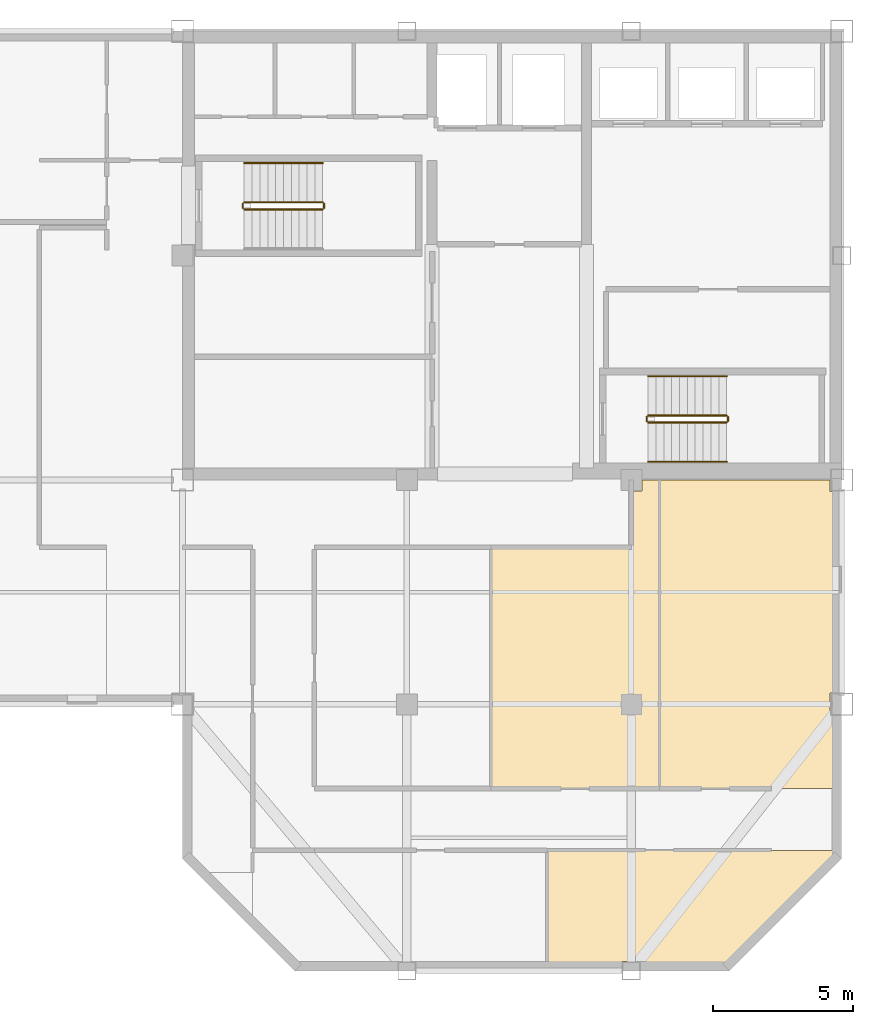
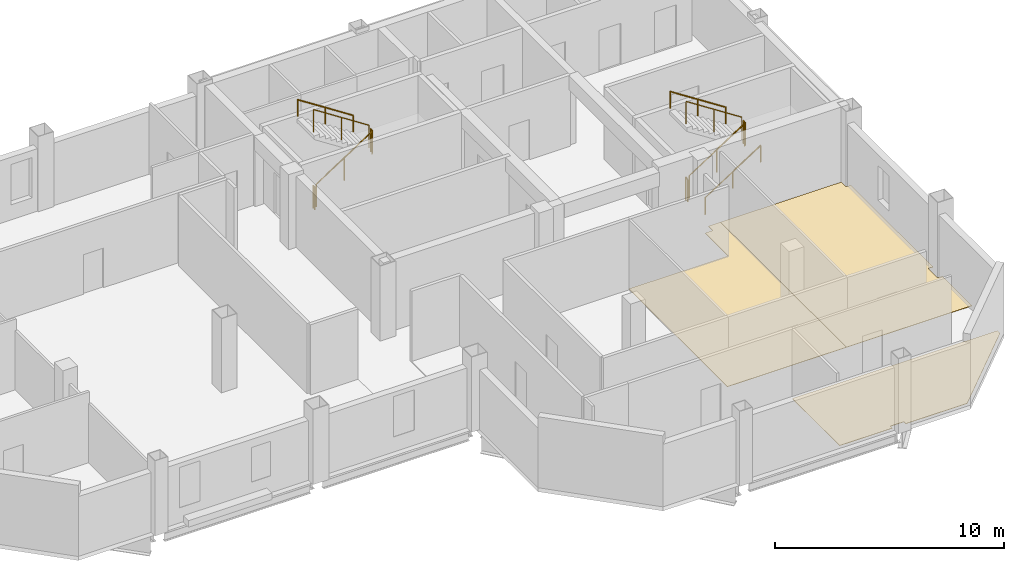
# One storey, part 6 of 7: 11 railings, 3 coverings.
"""IFC4 building model written with IfcOpenShell, lengths in metres."""

from ifc_helpers import new_model, si_unit, direction, frame, origin, origin_2d, place, context, subcontext, project, spatial, polyline, circle, outline, extrude, material, layer, layer_set, type_object, element, save


model = new_model("IFC4")

# Units and contexts
model_context = context("Model", 3, precision=1e-05, world=origin(), true_north=direction((0.0, 1.0)))
body_context = subcontext(model_context, "Body", "Model", "MODEL_VIEW")
ifc_project = project(units=[si_unit("LENGTHUNIT", "METRE"), si_unit("AREAUNIT", "SQUARE_METRE"), si_unit("VOLUMEUNIT", "CUBIC_METRE"), si_unit("PLANEANGLEUNIT", "RADIAN"), si_unit("MASSUNIT", "GRAM", prefix="KILO")], contexts=[model_context])

# Site, building, storey
site_placement = place(None, origin())
site = spatial("IfcSite", under=ifc_project, at=site_placement, CompositionType="ELEMENT")
building_placement = place(site_placement, origin())
building = spatial("IfcBuilding", under=site, at=building_placement, Name="Qianrong Seaharbour Tower", CompositionType="ELEMENT")
storey_placement = place(building_placement, frame((0.0, 0.0, 335.199951171875)))
storey = spatial("IfcBuildingStorey", under=building, at=storey_placement, Name="L81", CompositionType="ELEMENT", Elevation=335.199951171875)

# Coverings
ifc_material_1 = material(Name="Acoustic modular carpet tile flooring")
ifc_layer = layer(ifc_material_1, 0.02001953125)
ifc_layer_set = layer_set([ifc_layer], Name="Acoustic modular carpet tile flooring")
covering_type = type_object("IfcCoveringType", Name="COV-FLOOR-CARPET-20", PredefinedType="FLOORING", material=ifc_layer_set)
covering_1_placement = place(storey_placement, origin())
element("IfcCovering", 1, at=covering_1_placement, inside=storey, type_object=covering_type, Name="L81 Catering Servery Kitchen 2 Finish Flooring", PredefinedType="FLOORING", context=body_context, shape_type="SweptSolid", body=[
    extrude(outline(polyline([(56.5, 33.60009765625), (56.5, 35.614990234375), (56.885009765625, 35.614990234375), (56.885009765625, 36.0), (57.5, 36.0), (57.5, 25.0), (51.5, 25.0), (51.5, 33.60009765625), (56.5, 33.60009765625)])), origin(), (0.0, 0.0, 1.0), 0.02001953125),
])
covering_2_placement = place(storey_placement, origin())
element("IfcCovering", 2, at=covering_2_placement, inside=storey, type_object=covering_type, Name="L81 Staff Lounge 3 Finish Flooring", PredefinedType="FLOORING", context=body_context, shape_type="SweptSolid", body=[
    extrude(outline(polyline([(63.590087890625, 36.0), (63.590087890625, 35.590087890625), (63.8349609375, 35.590087890625), (63.8349609375, 28.409912109375), (63.590087890625, 28.409912109375), (63.590087890625, 27.590087890625), (63.8349609375, 27.590087890625), (63.8349609375, 25.0), (57.5, 25.0), (57.5, 36.0), (63.590087890625, 36.0)])), origin(), (0.0, 0.0, 1.0), 0.02001953125),
])
covering_3_placement = place(storey_placement, origin())
element("IfcCovering", 3, at=covering_3_placement, inside=storey, type_object=covering_type, Name="L81 Tea Servery Pantry 2 Finish Flooring", PredefinedType="FLOORING", context=body_context, shape_type="SweptSolid", body=[
    extrude(outline(polyline([(63.8349609375, 22.568359375), (59.931640625, 18.6650390625), (56.8349609375, 18.6650390625), (56.8349609375, 18.8349609375), (56.1650390625, 18.8349609375), (56.1650390625, 18.6650390625), (53.5, 18.6650390625), (53.5, 22.800048828125), (63.8349609375, 22.800048828125), (63.8349609375, 22.568359375)])), origin(), (0.0, 0.0, 1.0), 0.02001953125),
])

# Railings
ifc_material_2 = material(Name="Galvanized painted steel SN400B stair guard", Category="steel")
railing_type_1 = type_object("IfcRailingType", Name="RAIL-STAIR-GUARD-1220", PredefinedType="GUARDRAIL", material=ifc_material_2)
railing_1_placement = place(storey_placement, frame((42.699951171875, 45.64990234375, 0.181884765625)))
element("IfcRailing", 4, at=railing_1_placement, inside=storey, type_object=railing_type_1, Name="L81 ST-1 stair guard 1", PredefinedType="GUARDRAIL", context=body_context, shape_type="SweptSolid", body=[
    extrude(circle(Radius=0.02392578125, at=origin_2d()), frame((0.0, 0.0, 1.19580078125), z_axis=(0.838705829183, 0.0, 0.544584733623), x_axis=(0.0, 1.0, 0.0)), (0.0, 0.0, 1.0), 3.338623046875),
    extrude(circle(Radius=0.02099609375, at=origin_2d()), origin(), (0.0, 0.0, 1.0), 1.171875),
    extrude(circle(Radius=0.02099609375, at=origin_2d()), frame((1.39990234375, 0.0, 0.9091796875)), (0.0, 0.0, 1.0), 1.171875),
    extrude(circle(Radius=0.02099609375, at=origin_2d()), frame((2.800048828125, 0.0, 1.818115234375)), (0.0, 0.0, 1.0), 1.171875),
])
railing_2_placement = place(storey_placement, frame((45.550048828125, 45.699951171875, 2.0)))
element("IfcRailing", 5, at=railing_2_placement, inside=storey, type_object=railing_type_1, Name="L81 ST-1 stair guard 2", PredefinedType="GUARDRAIL", context=body_context, shape_type="SweptSolid", body=[
    extrude(circle(Radius=0.02392578125, at=origin_2d()), frame((0.0, 0.0, 1.19580078125), z_axis=(0.0, 1.0, 0.0), x_axis=(-1.0, 0.0, 0.0)), (0.0, 0.0, 1.0), 0.150146484375),
    extrude(circle(Radius=0.02099609375, at=origin_2d()), origin(), (0.0, 0.0, 1.0), 1.171875),
    extrude(circle(Radius=0.02099609375, at=origin_2d()), frame((0.0, 0.150146484375, 0.0)), (0.0, 0.0, 1.0), 1.171875),
])
railing_3_placement = place(storey_placement, frame((45.5, 45.89990234375, 2.181884765625)))
element("IfcRailing", 6, at=railing_3_placement, inside=storey, type_object=railing_type_1, Name="L81 ST-1 stair guard 3", PredefinedType="GUARDRAIL", context=body_context, shape_type="SweptSolid", body=[
    extrude(circle(Radius=0.02392578125, at=origin_2d()), frame((0.0, 0.0, 1.19580078125), z_axis=(-0.838705829183, 0.0, 0.544584733623), x_axis=(0.0, -1.0, 0.0)), (0.0, 0.0, 1.0), 3.338623046875),
    extrude(circle(Radius=0.02099609375, at=origin_2d()), origin(), (0.0, 0.0, 1.0), 1.171875),
    extrude(circle(Radius=0.02099609375, at=origin_2d()), frame((-1.39990234375, 0.0, 0.9091796875)), (0.0, 0.0, 1.0), 1.171875),
    extrude(circle(Radius=0.02099609375, at=origin_2d()), frame((-2.800048828125, 0.0, 1.818115234375)), (0.0, 0.0, 1.0), 1.171875),
])
railing_4_placement = place(storey_placement, frame((42.64990234375, 45.699951171875, 0.0)))
element("IfcRailing", 7, at=railing_4_placement, inside=storey, type_object=railing_type_1, Name="L81 ST-1 stair guard 4", PredefinedType="GUARDRAIL", context=body_context, shape_type="SweptSolid", body=[
    extrude(circle(Radius=0.02392578125, at=origin_2d()), frame((0.0, 0.0, 1.19580078125), z_axis=(0.0, 1.0, 0.0), x_axis=(-1.0, 0.0, 0.0)), (0.0, 0.0, 1.0), 0.150146484375),
    extrude(circle(Radius=0.02099609375, at=origin_2d()), origin(), (0.0, 0.0, 1.0), 1.171875),
    extrude(circle(Radius=0.02099609375, at=origin_2d()), frame((0.0, 0.150146484375, 0.0)), (0.0, 0.0, 1.0), 1.171875),
])
railing_5_placement = place(storey_placement, frame((57.10009765625, 38.050048828125, 0.181884765625)))
element("IfcRailing", 8, at=railing_5_placement, inside=storey, type_object=railing_type_1, Name="L81 ST-2 stair guard 1", PredefinedType="GUARDRAIL", context=body_context, shape_type="SweptSolid", body=[
    extrude(circle(Radius=0.02392578125, at=origin_2d()), frame((0.0, 0.0, 1.19580078125), z_axis=(0.83868413941, 0.0, 0.544618136222), x_axis=(0.0, 1.0, 0.0)), (0.0, 0.0, 1.0), 3.33837890625),
    extrude(circle(Radius=0.02099609375, at=origin_2d()), origin(), (0.0, 0.0, 1.0), 1.171875),
    extrude(circle(Radius=0.02099609375, at=origin_2d()), frame((1.39990234375, 0.0, 0.9091796875)), (0.0, 0.0, 1.0), 1.171875),
    extrude(circle(Radius=0.02099609375, at=origin_2d()), frame((2.7998046875, 0.0, 1.818115234375)), (0.0, 0.0, 1.0), 1.171875),
])
railing_6_placement = place(storey_placement, frame((59.949951171875, 38.10009765625, 2.0)))
element("IfcRailing", 9, at=railing_6_placement, inside=storey, type_object=railing_type_1, Name="L81 ST-2 stair guard 2", PredefinedType="GUARDRAIL", context=body_context, shape_type="SweptSolid", body=[
    extrude(circle(Radius=0.02392578125, at=origin_2d()), frame((0.0, 0.0, 1.19580078125), z_axis=(0.0, 1.0, 0.0), x_axis=(-1.0, 0.0, 0.0)), (0.0, 0.0, 1.0), 0.14990234375),
    extrude(circle(Radius=0.02099609375, at=origin_2d()), origin(), (0.0, 0.0, 1.0), 1.171875),
    extrude(circle(Radius=0.02099609375, at=origin_2d()), frame((0.0, 0.14990234375, 0.0)), (0.0, 0.0, 1.0), 1.171875),
])
railing_7_placement = place(storey_placement, frame((59.89990234375, 38.300048828125, 2.181884765625)))
element("IfcRailing", 10, at=railing_7_placement, inside=storey, type_object=railing_type_1, Name="L81 ST-2 stair guard 3", PredefinedType="GUARDRAIL", context=body_context, shape_type="SweptSolid", body=[
    extrude(circle(Radius=0.02392578125, at=origin_2d()), frame((0.0, 0.0, 1.19580078125), z_axis=(-0.83868413941, 0.0, 0.544618136222), x_axis=(0.0, -1.0, 0.0)), (0.0, 0.0, 1.0), 3.33837890625),
    extrude(circle(Radius=0.02099609375, at=origin_2d()), origin(), (0.0, 0.0, 1.0), 1.171875),
    extrude(circle(Radius=0.02099609375, at=origin_2d()), frame((-1.39990234375, 0.0, 0.9091796875)), (0.0, 0.0, 1.0), 1.171875),
    extrude(circle(Radius=0.02099609375, at=origin_2d()), frame((-2.7998046875, 0.0, 1.818115234375)), (0.0, 0.0, 1.0), 1.171875),
])
railing_8_placement = place(storey_placement, frame((57.050048828125, 38.10009765625, 0.0)))
element("IfcRailing", 11, at=railing_8_placement, inside=storey, type_object=railing_type_1, Name="L81 ST-2 stair guard 4", PredefinedType="GUARDRAIL", context=body_context, shape_type="SweptSolid", body=[
    extrude(circle(Radius=0.02392578125, at=origin_2d()), frame((0.0, 0.0, 1.19580078125), z_axis=(0.0, 1.0, 0.0), x_axis=(-1.0, 0.0, 0.0)), (0.0, 0.0, 1.0), 0.14990234375),
    extrude(circle(Radius=0.02099609375, at=origin_2d()), origin(), (0.0, 0.0, 1.0), 1.171875),
    extrude(circle(Radius=0.02099609375, at=origin_2d()), frame((0.0, 0.14990234375, 0.0)), (0.0, 0.0, 1.0), 1.171875),
])
ifc_material_3 = material(Name="Stainless steel SUS316L continuous handrail", Category="steel")
railing_type_2 = type_object("IfcRailingType", Name="RAIL-STAIR-HANDRAIL-900", PredefinedType="HANDRAIL", material=ifc_material_3)
railing_9_placement = place(storey_placement, frame((45.5, 47.300048828125, 2.181884765625)))
element("IfcRailing", 12, at=railing_9_placement, inside=storey, type_object=railing_type_2, Name="L81 ST-1 stair handrail 2", PredefinedType="HANDRAIL", context=body_context, shape_type="SweptSolid", body=[
    extrude(circle(Radius=0.02392578125, at=origin_2d()), frame((0.0, 0.0, 0.8759765625), z_axis=(-0.838705829183, 0.0, 0.544584733623), x_axis=(0.0, -1.0, 0.0)), (0.0, 0.0, 1.0), 3.338623046875),
    extrude(circle(Radius=0.02099609375, at=origin_2d()), origin(), (0.0, 0.0, 1.0), 0.851806640625),
    extrude(circle(Radius=0.02099609375, at=origin_2d()), frame((-1.39990234375, 0.0, 0.9091796875)), (0.0, 0.0, 1.0), 0.851806640625),
    extrude(circle(Radius=0.02099609375, at=origin_2d()), frame((-2.800048828125, 0.0, 1.818115234375)), (0.0, 0.0, 1.0), 0.851806640625),
])
railing_10_placement = place(storey_placement, frame((57.10009765625, 36.64990234375, 0.181884765625)))
element("IfcRailing", 13, at=railing_10_placement, inside=storey, type_object=railing_type_2, Name="L81 ST-2 stair handrail 1", PredefinedType="HANDRAIL", context=body_context, shape_type="SweptSolid", body=[
    extrude(circle(Radius=0.02392578125, at=origin_2d()), frame((0.0, 0.0, 0.8759765625), z_axis=(0.83868413941, 0.0, 0.544618136222), x_axis=(0.0, 1.0, 0.0)), (0.0, 0.0, 1.0), 3.33837890625),
    extrude(circle(Radius=0.02099609375, at=origin_2d()), origin(), (0.0, 0.0, 1.0), 0.851806640625),
    extrude(circle(Radius=0.02099609375, at=origin_2d()), frame((1.39990234375, 0.0, 0.9091796875)), (0.0, 0.0, 1.0), 0.851806640625),
    extrude(circle(Radius=0.02099609375, at=origin_2d()), frame((2.7998046875, 0.0, 1.818115234375)), (0.0, 0.0, 1.0), 0.851806640625),
])
railing_11_placement = place(storey_placement, frame((59.89990234375, 39.699951171875, 2.181884765625)))
element("IfcRailing", 14, at=railing_11_placement, inside=storey, type_object=railing_type_2, Name="L81 ST-2 stair handrail 2", PredefinedType="HANDRAIL", context=body_context, shape_type="SweptSolid", body=[
    extrude(circle(Radius=0.02392578125, at=origin_2d()), frame((0.0, 0.0, 0.8759765625), z_axis=(-0.83868413941, 0.0, 0.544618136222), x_axis=(0.0, -1.0, 0.0)), (0.0, 0.0, 1.0), 3.33837890625),
    extrude(circle(Radius=0.02099609375, at=origin_2d()), origin(), (0.0, 0.0, 1.0), 0.851806640625),
    extrude(circle(Radius=0.02099609375, at=origin_2d()), frame((-1.39990234375, 0.0, 0.9091796875)), (0.0, 0.0, 1.0), 0.851806640625),
    extrude(circle(Radius=0.02099609375, at=origin_2d()), frame((-2.7998046875, 0.0, 1.818115234375)), (0.0, 0.0, 1.0), 0.851806640625),
])

save(model, "model.ifc")
